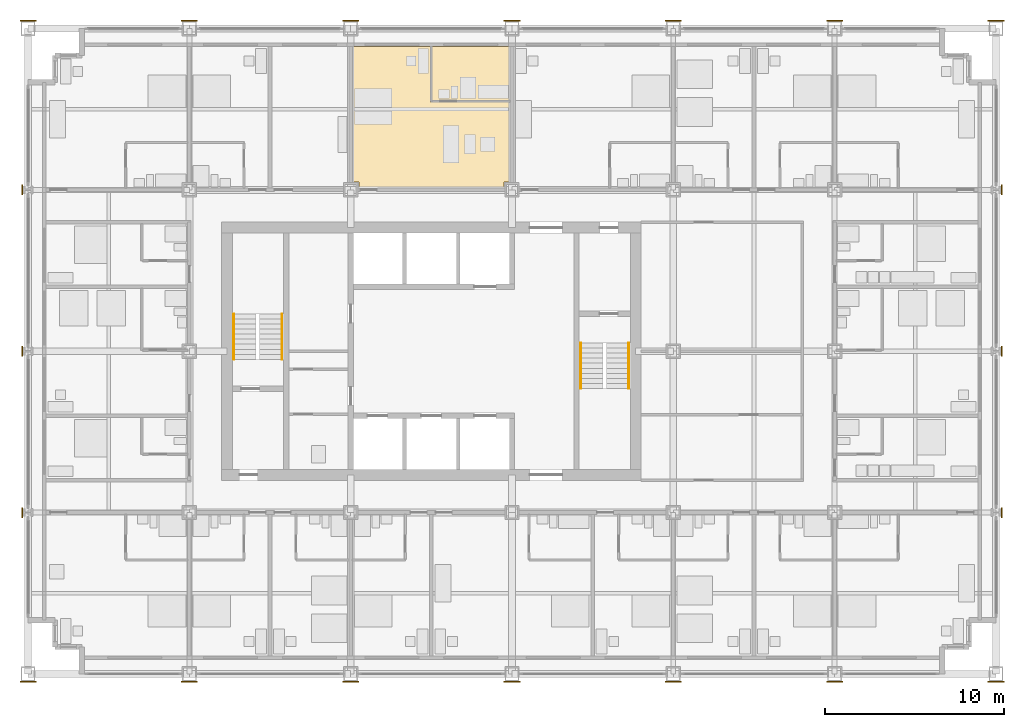
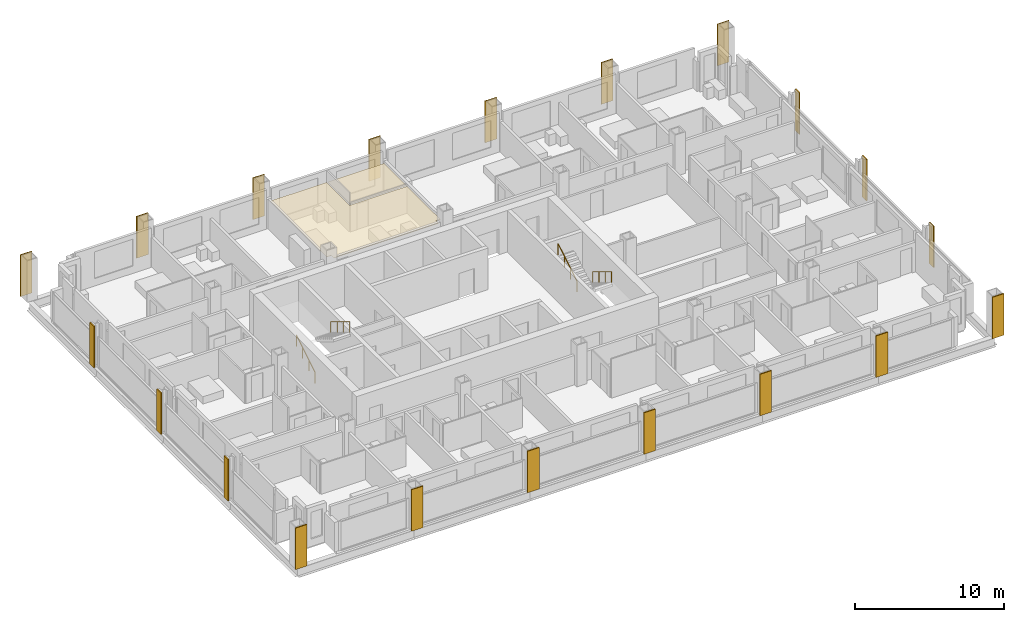
# One storey, part 16 of 18: 22 coverings, 4 railings.
"""IFC4 building model written with IfcOpenShell, lengths in metres."""

from ifc_helpers import new_model, si_unit, direction, frame, origin, origin_2d, place, context, subcontext, project, spatial, polyline, rectangle, circle, outline, extrude, material, layer, layer_set, type_object, element, save


model = new_model("IFC4")

# Units and contexts
model_context = context("Model", 3, precision=1e-05, world=origin(), true_north=direction((0.0, 1.0)))
body_context = subcontext(model_context, "Body", "Model", "MODEL_VIEW")
ifc_project = project(units=[si_unit("LENGTHUNIT", "METRE"), si_unit("AREAUNIT", "SQUARE_METRE"), si_unit("VOLUMEUNIT", "CUBIC_METRE"), si_unit("PLANEANGLEUNIT", "RADIAN"), si_unit("MASSUNIT", "GRAM", prefix="KILO")], contexts=[model_context])

# Site, building, storey
site_placement = place(None, origin())
site = spatial("IfcSite", under=ifc_project, at=site_placement, CompositionType="ELEMENT")
building_placement = place(site_placement, origin())
building = spatial("IfcBuilding", under=site, at=building_placement, Name="Loomwork Tower", CompositionType="ELEMENT")
storey_placement = place(building_placement, frame((0.0, 0.0, 82.39990234375)))
storey = spatial("IfcBuildingStorey", under=building, at=storey_placement, Name="L21", CompositionType="ELEMENT", Elevation=82.39990234375)

# Railings
ifc_material_1 = material(Name="Stainless steel handrail", Category="steel")
railing_type = type_object("IfcRailingType", Name="Handrail 900", PredefinedType="HANDRAIL", material=ifc_material_1)
railing_1_placement = place(storey_placement, frame((11.485107421875, 17.550048828125, 0.170166015625)))
element("IfcRailing", 1, at=railing_1_placement, inside=storey, type_object=railing_type, Name="Stair A handrail flight 1 L21", PredefinedType="HANDRAIL", context=body_context, shape_type="SweptSolid", body=[
    extrude(circle(Radius=0.02392578125, at=origin_2d()), frame((0.0, 0.0, 0.8759765625), z_axis=(0.0, 0.85478489116, 0.518982456201), x_axis=(-1.0, 0.0, 0.0)), (0.0, 0.0, 1.0), 2.9482421875),
    extrude(circle(Radius=0.02099609375, at=origin_2d()), origin(), (0.0, 0.0, 1.0), 0.851806640625),
    extrude(circle(Radius=0.02099609375, at=origin_2d()), frame((0.0, 0.840087890625, 0.510009765625)), (0.0, 0.0, 1.0), 0.851806640625),
    extrude(circle(Radius=0.02099609375, at=origin_2d()), frame((0.0, 1.679931640625, 1.02001953125)), (0.0, 0.0, 1.0), 0.851806640625),
    extrude(circle(Radius=0.02099609375, at=origin_2d()), frame((0.0, 2.52001953125, 1.530029296875)), (0.0, 0.0, 1.0), 0.851806640625),
])
for number, where, name in (
    (2, (14.1650390625, 20.070068359375, 1.8701171875), "Stair A handrail flight 2 L21"),
    (3, (33.514892578125, 18.449951171875, 0.170166015625), "Stair B handrail flight 1 L21"),
):
    element("IfcRailing", number, at=place(storey_placement, frame(where)), inside=storey, type_object=railing_type, Name=name, PredefinedType="HANDRAIL", context=body_context, shape_type="SweptSolid", body=[
        extrude(circle(Radius=0.02392578125, at=origin_2d()), frame((0.0, 0.0, 0.8759765625), z_axis=(0.0, -0.85478489116, 0.518982456201), x_axis=(1.0, 0.0, 0.0)), (0.0, 0.0, 1.0), 2.9482421875),
        extrude(circle(Radius=0.02099609375, at=origin_2d()), origin(), (0.0, 0.0, 1.0), 0.851806640625),
        extrude(circle(Radius=0.02099609375, at=origin_2d()), frame((0.0, -0.840087890625, 0.510009765625)), (0.0, 0.0, 1.0), 0.851806640625),
        extrude(circle(Radius=0.02099609375, at=origin_2d()), frame((0.0, -1.679931640625, 1.02001953125)), (0.0, 0.0, 1.0), 0.851806640625),
        extrude(circle(Radius=0.02099609375, at=origin_2d()), frame((0.0, -2.52001953125, 1.530029296875)), (0.0, 0.0, 1.0), 0.851806640625),
    ])
railing_2_placement = place(storey_placement, frame((30.8349609375, 15.929931640625, 1.8701171875)))
element("IfcRailing", 4, at=railing_2_placement, inside=storey, type_object=railing_type, Name="Stair B handrail flight 2 L21", PredefinedType="HANDRAIL", context=body_context, shape_type="SweptSolid", body=[
    extrude(circle(Radius=0.02392578125, at=origin_2d()), frame((0.0, 0.0, 0.8759765625), z_axis=(0.0, 0.85478489116, 0.518982456201), x_axis=(-1.0, 0.0, 0.0)), (0.0, 0.0, 1.0), 2.9482421875),
    extrude(circle(Radius=0.02099609375, at=origin_2d()), origin(), (0.0, 0.0, 1.0), 0.851806640625),
    extrude(circle(Radius=0.02099609375, at=origin_2d()), frame((0.0, 0.840087890625, 0.510009765625)), (0.0, 0.0, 1.0), 0.851806640625),
    extrude(circle(Radius=0.02099609375, at=origin_2d()), frame((0.0, 1.679931640625, 1.02001953125)), (0.0, 0.0, 1.0), 0.851806640625),
    extrude(circle(Radius=0.02099609375, at=origin_2d()), frame((0.0, 2.52001953125, 1.530029296875)), (0.0, 0.0, 1.0), 0.851806640625),
])

# Coverings
ifc_material_2 = material(Name="Limestone", Category="masonry")
ifc_layer_1 = layer(ifc_material_2, 0.080078125)
ifc_layer_set_1 = layer_set([ifc_layer_1], Name="Limestone pier facing 80")
covering_type_1 = type_object("IfcCoveringType", Name="Limestone pier facing 80", PredefinedType="CLADDING", material=ifc_layer_set_1)
covering_1_placement = place(storey_placement, frame((0.0, -0.43994140625, 0.000244140625), z_axis=(0.0, 0.0, 1.0), x_axis=(1.0, 0.0, 0.0)))
element("IfcCovering", 5, at=covering_1_placement, inside=storey, type_object=covering_type_1, Name="Pier facing D/2 L21", PredefinedType="CLADDING", context=body_context, shape_type="SweptSolid", body=[
    extrude(rectangle(XDim=0.89990234375, YDim=0.080078125, at=origin_2d()), origin(), (0.0, 0.0, 1.0), 3.39990234375),
])
for number, where, z_axis, x_axis, name in (
    (6, (-0.324462890625, 9.0, 0.000244140625), (0.0, 0.0, 1.0), (1.0, 0.0, 0.0), "Pier facing E/2 L21"),
    (7, (-0.324462890625, 18.0, 0.000244140625), (0.0, 0.0, 1.0), (1.0, 0.0, 0.0), "Pier facing F/2 L21"),
    (8, (-0.324462890625, 27.0, 0.000244140625), (0.0, 0.0, 1.0), (1.0, 0.0, 0.0), "Pier facing G/2 L21"),
):
    element("IfcCovering", number, at=place(storey_placement, frame(where, z_axis=z_axis, x_axis=x_axis)), inside=storey, type_object=covering_type_1, Name=name, PredefinedType="CLADDING", context=body_context, shape_type="SweptSolid", body=[
        extrude(rectangle(XDim=0.080078125, YDim=0.5546875, at=origin_2d()), origin(), (0.0, 0.0, 1.0), 3.39990234375),
    ])
for number, where, z_axis, x_axis, name in (
    (9, (0.0, 36.43994140625, 0.000244140625), (0.0, 0.0, 1.0), (1.0, 0.0, 0.0), "Pier facing H/2 L21"),
    (10, (9.0, -0.43994140625, 0.000244140625), (0.0, 0.0, 1.0), (1.0, 0.0, 0.0), "Pier facing D/3 L21"),
    (11, (9.0, 36.43994140625, 0.000244140625), (0.0, 0.0, 1.0), (1.0, 0.0, 0.0), "Pier facing H/3 L21"),
    (12, (18.0, -0.43994140625, 0.000244140625), (0.0, 0.0, 1.0), (1.0, 0.0, 0.0), "Pier facing D/4 L21"),
    (13, (18.0, 36.43994140625, 0.000244140625), (0.0, 0.0, 1.0), (1.0, 0.0, 0.0), "Pier facing H/4 L21"),
    (14, (27.0, -0.43994140625, 0.000244140625), (0.0, 0.0, 1.0), (1.0, 0.0, 0.0), "Pier facing D/5 L21"),
    (15, (27.0, 36.43994140625, 0.000244140625), (0.0, 0.0, 1.0), (1.0, 0.0, 0.0), "Pier facing H/5 L21"),
    (16, (36.0, -0.43994140625, 0.000244140625), (0.0, 0.0, 1.0), (1.0, 0.0, 0.0), "Pier facing D/6 L21"),
    (17, (36.0, 36.43994140625, 0.000244140625), (0.0, 0.0, 1.0), (1.0, 0.0, 0.0), "Pier facing H/6 L21"),
    (18, (45.0, -0.43994140625, 0.000244140625), (0.0, 0.0, 1.0), (1.0, 0.0, 0.0), "Pier facing D/7 L21"),
    (19, (45.0, 36.43994140625, 0.000244140625), (0.0, 0.0, 1.0), (1.0, 0.0, 0.0), "Pier facing H/7 L21"),
    (20, (54.0, -0.43994140625, 0.000244140625), (0.0, 0.0, 1.0), (1.0, 0.0, 0.0), "Pier facing D/8 L21"),
):
    element("IfcCovering", number, at=place(storey_placement, frame(where, z_axis=z_axis, x_axis=x_axis)), inside=storey, type_object=covering_type_1, Name=name, PredefinedType="CLADDING", context=body_context, shape_type="SweptSolid", body=[
        extrude(rectangle(XDim=0.89990234375, YDim=0.080078125, at=origin_2d()), origin(), (0.0, 0.0, 1.0), 3.39990234375),
    ])
for number, where, z_axis, x_axis, name in (
    (21, (54.324462890625, 9.0, 0.000244140625), (0.0, 0.0, 1.0), (1.0, 0.0, 0.0), "Pier facing E/8 L21"),
    (22, (54.324462890625, 18.0, 0.000244140625), (0.0, 0.0, 1.0), (1.0, 0.0, 0.0), "Pier facing F/8 L21"),
    (23, (54.324462890625, 27.0, 0.000244140625), (0.0, 0.0, 1.0), (1.0, 0.0, 0.0), "Pier facing G/8 L21"),
):
    element("IfcCovering", number, at=place(storey_placement, frame(where, z_axis=z_axis, x_axis=x_axis)), inside=storey, type_object=covering_type_1, Name=name, PredefinedType="CLADDING", context=body_context, shape_type="SweptSolid", body=[
        extrude(rectangle(XDim=0.080078125, YDim=0.5546875, at=origin_2d()), origin(), (0.0, 0.0, 1.0), 3.39990234375),
    ])
covering_2_placement = place(storey_placement, frame((54.0, 36.43994140625, 0.000244140625), z_axis=(0.0, 0.0, 1.0), x_axis=(1.0, 0.0, 0.0)))
element("IfcCovering", 24, at=covering_2_placement, inside=storey, type_object=covering_type_1, Name="Pier facing H/8 L21", PredefinedType="CLADDING", context=body_context, shape_type="SweptSolid", body=[
    extrude(rectangle(XDim=0.89990234375, YDim=0.080078125, at=origin_2d()), origin(), (0.0, 0.0, 1.0), 3.39990234375),
])
ifc_material_3 = material(Name="Mineral fibre acoustic tile on suspension grid")
ifc_layer_2 = layer(ifc_material_3, 0.02490234375)
ifc_layer_set_2 = layer_set([ifc_layer_2], Name="Suspended acoustic ceiling")
covering_type_2 = type_object("IfcCoveringType", Name="Suspended acoustic ceiling", PredefinedType="CEILING", material=ifc_layer_set_2)
covering_3_placement = place(storey_placement, frame((0.0, 0.0, 2.175048828125)))
element("IfcCovering", 25, at=covering_3_placement, inside=storey, type_object=covering_type_2, Name="Ceiling Spa bathroom L21", PredefinedType="CEILING", context=body_context, shape_type="SweptSolid", body=[
    extrude(outline(polyline([(22.550048828125, 35.0), (26.89990234375, 35.0), (26.89990234375, 32.0), (22.550048828125, 32.0), (22.550048828125, 35.0)])), origin(), (0.0, 0.0, 1.0), 0.025146484375),
])
covering_4_placement = place(storey_placement, frame((0.0, 0.0, 2.175048828125)))
element("IfcCovering", 26, at=covering_4_placement, inside=storey, type_object=covering_type_2, Name="Ceiling Spa suite L21", PredefinedType="CEILING", context=body_context, shape_type="SweptSolid", body=[
    extrude(outline(polyline([(18.10009765625, 35.0), (22.449951171875, 35.0), (22.449951171875, 31.89990234375), (26.89990234375, 31.89990234375), (26.89990234375, 27.449951171875), (26.550048828125, 27.449951171875), (26.550048828125, 27.10009765625), (18.449951171875, 27.10009765625), (18.449951171875, 27.449951171875), (18.10009765625, 27.449951171875), (18.10009765625, 35.0)])), origin(), (0.0, 0.0, 1.0), 0.025146484375),
])

save(model, "model.ifc")
